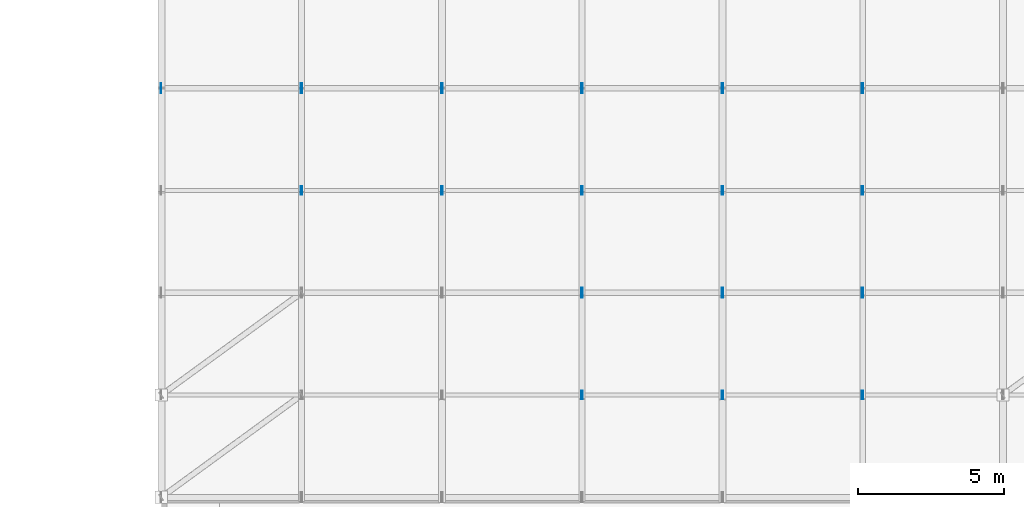
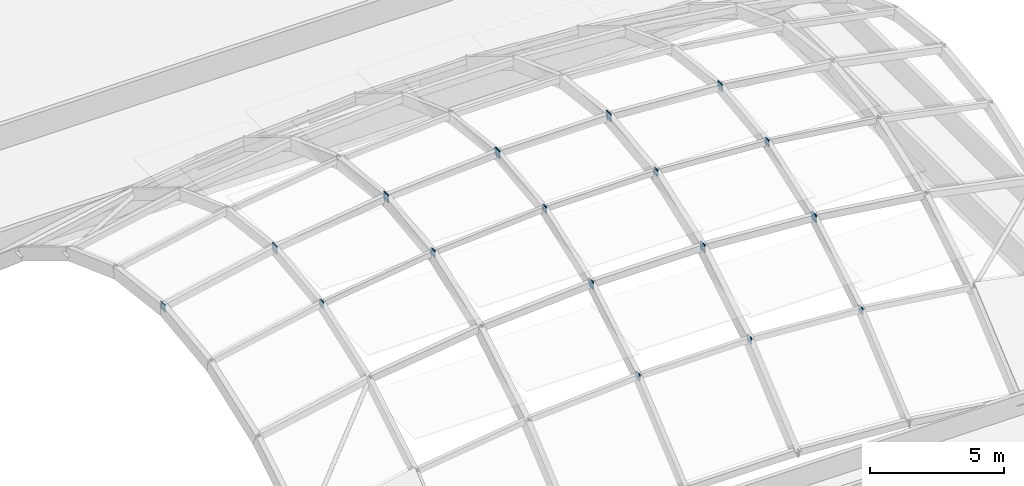
# One storey, part 89 of 128: 33 plates.
"""IFC4 building model written with IfcOpenShell, lengths in metres."""

from ifc_helpers import new_model, si_unit, direction, frame, origin, origin_2d, place, context, subcontext, project, spatial, rectangle, extrude, material, layer, layer_set, type_object, element, save


model = new_model("IFC4")

# Units and contexts
model_context = context("Model", 3, precision=1e-05, world=origin(), true_north=direction((0.0, 1.0)))
body_context = subcontext(model_context, "Body", "Model", "MODEL_VIEW")
ifc_project = project(units=[si_unit("LENGTHUNIT", "METRE"), si_unit("AREAUNIT", "SQUARE_METRE"), si_unit("VOLUMEUNIT", "CUBIC_METRE"), si_unit("PLANEANGLEUNIT", "RADIAN"), si_unit("MASSUNIT", "GRAM", prefix="KILO")], contexts=[model_context])

# Site, building, storey
site_placement = place(None, origin())
site = spatial("IfcSite", under=ifc_project, at=site_placement, CompositionType="ELEMENT")
building_placement = place(site_placement, origin())
building = spatial("IfcBuilding", under=site, at=building_placement, Name="Tarnwether General Hospital", CompositionType="ELEMENT")
storey_placement = place(building_placement, frame((0.0, 0.0, 14.39990234375)))
storey = spatial("IfcBuildingStorey", under=building, at=storey_placement, Name="L03", CompositionType="ELEMENT", Elevation=14.39990234375)

# Plates
ifc_material = material(Name="Steel Grade 350 (350 MPa)", Category="steel")
ifc_layer = layer(ifc_material, 0.02490234375)
ifc_layer_set = layer_set([ifc_layer], Name="Steel Grade 350 (350 MPa)")
plate_type = type_object("IfcPlateType", Name="PT-GUS2", PredefinedType="USERDEFINED", material=ifc_layer_set)
for number, where, z_axis, x_axis, name in (
    (1, (122.41259765625, 51.10009765625, 4.925048828125), (0.0, 0.0, 1.0), (1.0, 0.0, 0.0), "Hollow Section Welded End Cap Plate 1262"),
    (2, (122.387451171875, 51.10009765625, 4.92431640625), (0.0, 0.0, 1.0), (1.0, 0.0, 0.0), "Hollow Section Welded End Cap Plate 1263"),
    (3, (127.21240234375, 51.10009765625, 4.92431640625), (0.0, 0.0, 1.0), (1.0, 0.0, 0.0), "Hollow Section Welded End Cap Plate 1264"),
    (4, (127.1875, 51.10009765625, 4.925048828125), (0.0, 0.0, 1.0), (1.0, 0.0, 0.0), "Hollow Section Welded End Cap Plate 1265"),
    (5, (132.012451171875, 51.10009765625, 4.596923828125), (0.0, 0.0, 1.0), (1.0, 0.0, 0.0), "Hollow Section Welded End Cap Plate 1266"),
    (6, (131.987548828125, 51.10009765625, 4.599365234375), (0.0, 0.0, 1.0), (1.0, 0.0, 0.0), "Hollow Section Welded End Cap Plate 1267"),
):
    element("IfcPlate", number, at=place(storey_placement, frame(where, z_axis=z_axis, x_axis=x_axis)), inside=storey, type_object=plate_type, Name=name, ObjectType="GUSSET", PredefinedType="USERDEFINED", context=body_context, shape_type="SweptSolid", body=[
        extrude(rectangle(XDim=0.02490234375, YDim=0.2900390625, at=origin_2d()), origin(), (0.0, 0.0, 1.0), 0.2900390625),
    ])
for number, where, z_axis, x_axis, name in (
    (7, (122.41259765625, 54.60009765625, 7.0), (0.0, 0.0, 1.0), (1.0, 0.0, 0.0), "Hollow Section Welded End Cap Plate 1276"),
    (8, (122.387451171875, 54.60009765625, 6.9990234375), (0.0, 0.0, 1.0), (1.0, 0.0, 0.0), "Hollow Section Welded End Cap Plate 1277"),
    (9, (127.21240234375, 54.60009765625, 6.9990234375), (0.0, 0.0, 1.0), (1.0, 0.0, 0.0), "Hollow Section Welded End Cap Plate 1278"),
    (10, (127.1875, 54.60009765625, 7.0), (0.0, 0.0, 1.0), (1.0, 0.0, 0.0), "Hollow Section Welded End Cap Plate 1279"),
    (11, (132.012451171875, 54.60009765625, 6.671875), (0.0, 0.0, 1.0), (1.0, 0.0, 0.0), "Hollow Section Welded End Cap Plate 1280"),
    (12, (131.987548828125, 54.60009765625, 6.67431640625), (0.0, 0.0, 1.0), (1.0, 0.0, 0.0), "Hollow Section Welded End Cap Plate 1281"),
):
    element("IfcPlate", number, at=place(storey_placement, frame(where, z_axis=z_axis, x_axis=x_axis)), inside=storey, type_object=plate_type, Name=name, ObjectType="GUSSET", PredefinedType="USERDEFINED", context=body_context, shape_type="SweptSolid", body=[
        extrude(rectangle(XDim=0.02490234375, YDim=0.340087890625, at=origin_2d()), origin(), (0.0, 0.0, 1.0), 0.340087890625),
    ])
for number, where, z_axis, x_axis, name in (
    (13, (112.812255859375, 58.10009765625, 7.34716796875), (0.0, 0.0, 1.0), (1.0, 0.0, 0.0), "Hollow Section Welded End Cap Plate 1286"),
    (14, (112.78759765625, 58.10009765625, 7.343017578125), (0.0, 0.0, 1.0), (1.0, 0.0, 0.0), "Hollow Section Welded End Cap Plate 1287"),
    (15, (117.6123046875, 58.10009765625, 7.99951171875), (0.0, 0.0, 1.0), (1.0, 0.0, 0.0), "Hollow Section Welded End Cap Plate 1288"),
    (16, (117.58740234375, 58.10009765625, 7.9970703125), (0.0, 0.0, 1.0), (1.0, 0.0, 0.0), "Hollow Section Welded End Cap Plate 1289"),
    (17, (122.41259765625, 58.10009765625, 8.3251953125), (0.0, 0.0, 1.0), (1.0, 0.0, 0.0), "Hollow Section Welded End Cap Plate 1290"),
    (18, (122.387451171875, 58.10009765625, 8.32421875), (0.0, 0.0, 1.0), (1.0, 0.0, 0.0), "Hollow Section Welded End Cap Plate 1291"),
    (19, (127.21240234375, 58.10009765625, 8.32421875), (0.0, 0.0, 1.0), (1.0, 0.0, 0.0), "Hollow Section Welded End Cap Plate 1292"),
    (20, (127.1875, 58.10009765625, 8.3251953125), (0.0, 0.0, 1.0), (1.0, 0.0, 0.0), "Hollow Section Welded End Cap Plate 1293"),
    (21, (132.012451171875, 58.10009765625, 7.9970703125), (0.0, 0.0, 1.0), (1.0, 0.0, 0.0), "Hollow Section Welded End Cap Plate 1294"),
    (22, (131.987548828125, 58.10009765625, 7.99951171875), (0.0, 0.0, 1.0), (1.0, 0.0, 0.0), "Hollow Section Welded End Cap Plate 1295"),
):
    element("IfcPlate", number, at=place(storey_placement, frame(where, z_axis=z_axis, x_axis=x_axis)), inside=storey, type_object=plate_type, Name=name, ObjectType="GUSSET", PredefinedType="USERDEFINED", context=body_context, shape_type="SweptSolid", body=[
        extrude(rectangle(XDim=0.02490234375, YDim=0.2900390625, at=origin_2d()), origin(), (0.0, 0.0, 1.0), 0.2900390625),
    ])
for number, where, z_axis, x_axis, name in (
    (23, (107.98779296875, 61.60009765625, 6.73779296875), (0.0, 0.0, 1.0), (1.0, 0.0, 0.0), "Hollow Section Welded End Cap Plate 1299"),
    (24, (112.812255859375, 61.60009765625, 7.72216796875), (0.0, 0.0, 1.0), (1.0, 0.0, 0.0), "Hollow Section Welded End Cap Plate 1300"),
    (25, (112.78759765625, 61.60009765625, 7.7177734375), (0.0, 0.0, 1.0), (1.0, 0.0, 0.0), "Hollow Section Welded End Cap Plate 1301"),
    (26, (117.6123046875, 61.60009765625, 8.37451171875), (0.0, 0.0, 1.0), (1.0, 0.0, 0.0), "Hollow Section Welded End Cap Plate 1302"),
    (27, (117.58740234375, 61.60009765625, 8.3720703125), (0.0, 0.0, 1.0), (1.0, 0.0, 0.0), "Hollow Section Welded End Cap Plate 1303"),
    (28, (122.41259765625, 61.60009765625, 8.7001953125), (0.0, 0.0, 1.0), (1.0, 0.0, 0.0), "Hollow Section Welded End Cap Plate 1304"),
    (29, (122.387451171875, 61.60009765625, 8.69921875), (0.0, 0.0, 1.0), (1.0, 0.0, 0.0), "Hollow Section Welded End Cap Plate 1305"),
    (30, (127.21240234375, 61.60009765625, 8.69921875), (0.0, 0.0, 1.0), (1.0, 0.0, 0.0), "Hollow Section Welded End Cap Plate 1306"),
    (31, (127.1875, 61.60009765625, 8.7001953125), (0.0, 0.0, 1.0), (1.0, 0.0, 0.0), "Hollow Section Welded End Cap Plate 1307"),
    (32, (132.012451171875, 61.60009765625, 8.3720703125), (0.0, 0.0, 1.0), (1.0, 0.0, 0.0), "Hollow Section Welded End Cap Plate 1308"),
    (33, (131.987548828125, 61.60009765625, 8.37451171875), (0.0, 0.0, 1.0), (1.0, 0.0, 0.0), "Hollow Section Welded End Cap Plate 1309"),
):
    element("IfcPlate", number, at=place(storey_placement, frame(where, z_axis=z_axis, x_axis=x_axis)), inside=storey, type_object=plate_type, Name=name, ObjectType="GUSSET", PredefinedType="USERDEFINED", context=body_context, shape_type="SweptSolid", body=[
        extrude(rectangle(XDim=0.02490234375, YDim=0.340087890625, at=origin_2d()), origin(), (0.0, 0.0, 1.0), 0.340087890625),
    ])

save(model, "model.ifc")
